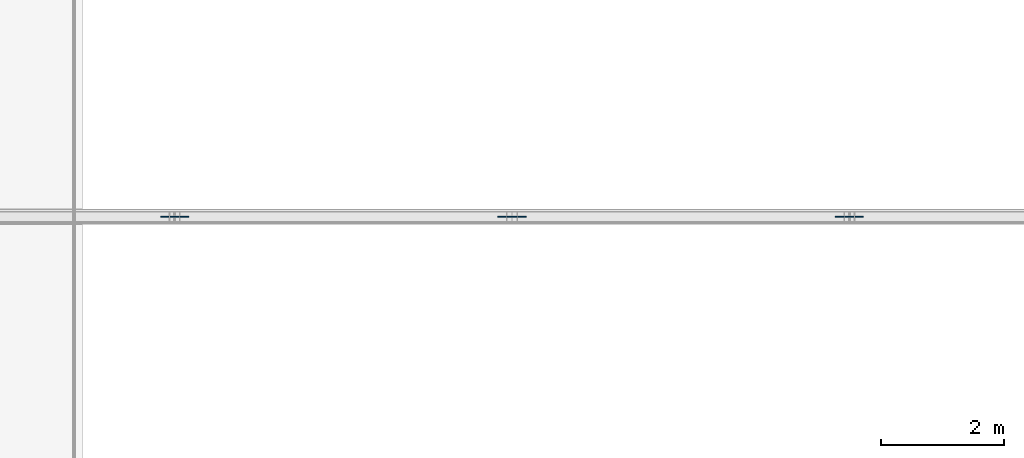
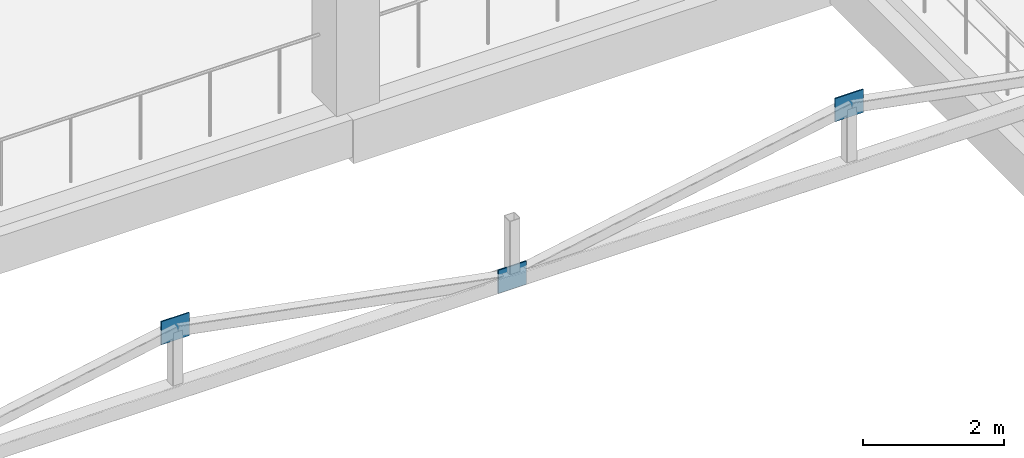
# One storey, part 43 of 74: 3 plates.
"""IFC4 building model written with IfcOpenShell, lengths in metres."""

import ifcopenshell
import ifcopenshell.guid

model = None  # the IFC model being written
_history = None  # IfcOwnerHistory: only IFC2X3 demands one
_inside = {}  # id of a spatial element -> (the spatial element, [elements in it])
_under = {}  # id of a project, library or spatial element -> (it, [spatial elements below it])
_declared = {}  # id of a project -> (the project, [libraries it declares])
_typed = {}  # id of a type object -> (the type object, [elements of that type])
_made_of = {}  # id of a material, layer set ... -> (it, [elements and type objects made of it])


def new_model(schema):
    """Start an empty IFC model of exactly this schema.

    Asked for "IFC4X3", IfcOpenShell would pick the latest addendum, in which some entities
    have other attributes; the version numbers below select the first issue.
    IFC2X3 requires an IfcOwnerHistory on every rooted entity: one is made here for all.
    """
    global model, _history
    if schema == "IFC4X3":
        model = ifcopenshell.file(schema_version=(4, 3, 0, 0))
    else:
        model = ifcopenshell.file(schema=schema)
    _inside.clear()
    _under.clear()
    _declared.clear()
    _typed.clear()
    _made_of.clear()
    _history = None
    if model.schema == "IFC2X3":
        org = make("IfcOrganization", Name="unknown")
        user = make(
            "IfcPersonAndOrganization",
            ThePerson=make("IfcPerson", FamilyName="unknown"),
            TheOrganization=org,
        )
        app = make(
            "IfcApplication",
            ApplicationDeveloper=org,
            Version="unknown",
            ApplicationFullName="unknown",
            ApplicationIdentifier="unknown",
        )
        _history = make(
            "IfcOwnerHistory",
            OwningUser=user,
            OwningApplication=app,
            ChangeAction="ADDED",
            CreationDate=0,
        )
    return model


def make(cls, **values):
    """One entity of the class cls with the attributes given. An attribute that is None is left unset."""
    return model.create_entity(
        cls, **{name: value for name, value in values.items() if value is not None}
    )


def rooted(cls, **values):
    """An entity with a GlobalId (a new one), such as an element, a storey or a relation."""
    return make(cls, GlobalId=ifcopenshell.guid.new(), OwnerHistory=_history, **values)


def si_unit(unit_type, name, prefix=None):
    """IfcSIUnit, for example si_unit("LENGTHUNIT", "METRE", prefix="MILLI")."""
    return make("IfcSIUnit", UnitType=unit_type, Prefix=prefix, Name=name)


def assignment(units):
    """IfcUnitAssignment: the units of a project."""
    return None if units is None else make("IfcUnitAssignment", Units=units)


def point(xyz):
    """IfcCartesianPoint."""
    return None if xyz is None else make("IfcCartesianPoint", Coordinates=xyz)


def direction(xyz):
    """IfcDirection."""
    return None if xyz is None else make("IfcDirection", DirectionRatios=xyz)


def frame(location, z_axis=None, x_axis=None):
    """IfcAxis2Placement3D, a coordinate frame: its origin and axes. An axis left out is left unset."""
    return make(
        "IfcAxis2Placement3D",
        Location=point(location),
        Axis=direction(z_axis),
        RefDirection=direction(x_axis),
    )


def frame_2d(location, x_axis=None):
    """IfcAxis2Placement2D, a coordinate frame in the plane: its origin and x axis."""
    return make(
        "IfcAxis2Placement2D", Location=point(location), RefDirection=direction(x_axis)
    )


def origin():
    """The frame at (0, 0, 0) with its axes left unset."""
    return frame((0.0, 0.0, 0.0))


def origin_2d():
    """The frame at (0, 0) in the plane with its x axis left unset."""
    return frame_2d((0.0, 0.0))


def place(relative_to, where):
    """IfcLocalPlacement: puts the frame where relative to a parent placement (None: the world)."""
    return make(
        "IfcLocalPlacement", PlacementRelTo=relative_to, RelativePlacement=where
    )


def context(
    kind, dimensions, precision=None, world=None, true_north=None, identifier=None
):
    """IfcGeometricRepresentationContext, for example the 3D "Model" context."""
    return make(
        "IfcGeometricRepresentationContext",
        ContextIdentifier=identifier,
        ContextType=kind,
        CoordinateSpaceDimension=dimensions,
        Precision=precision,
        WorldCoordinateSystem=world,
        TrueNorth=true_north,
    )


def subcontext(parent, identifier, kind, view, scale=None):
    """IfcGeometricRepresentationSubContext, for example "Body" below "Model"."""
    return make(
        "IfcGeometricRepresentationSubContext",
        ContextIdentifier=identifier,
        ContextType=kind,
        ParentContext=parent,
        TargetScale=scale,
        TargetView=view,
    )


def project(units=None, contexts=None):
    """IfcProject with its units and contexts."""
    return rooted(
        "IfcProject",
        Name="project",
        RepresentationContexts=contexts,
        UnitsInContext=assignment(units),
    )


def spatial(cls, under=None, at=None, **own):
    """A site, building, storey or space (cls), placed at a placement, below another one or the project."""
    s = rooted(cls, ObjectPlacement=at, **own)
    if under is not None:
        _under.setdefault(under.id(), (under, []))[1].append(s)
    return s


def profile(cls, at=None, kind="AREA", **sizes):
    """A parametric profile (cls). Its sizes go by their IFC names, for example OverallWidth=200.0."""
    return make(cls, ProfileType=kind, Position=at, **sizes)


def rectangle(**sizes):
    """IfcRectangleProfileDef."""
    return profile("IfcRectangleProfileDef", **sizes)


def extrude(swept, where, along, depth):
    """IfcExtrudedAreaSolid: the profile swept, set in the frame where, extruded along a direction by depth."""
    return make(
        "IfcExtrudedAreaSolid",
        SweptArea=swept,
        Position=where,
        ExtrudedDirection=direction(along),
        Depth=depth,
    )


def shape(context_of_items, identifier, shape_type, items):
    """IfcShapeRepresentation: the items that make up one representation, for example the "Body"."""
    return make(
        "IfcShapeRepresentation",
        ContextOfItems=context_of_items,
        RepresentationIdentifier=identifier,
        RepresentationType=shape_type,
        Items=items,
    )


def material(Name=None, Category=None):
    """IfcMaterial."""
    return make("IfcMaterial", Name=Name, Category=Category)


def layer(
    of_material, thickness, ventilated=None, Name=None, Category=None, Priority=None
):
    """IfcMaterialLayer: one layer of a wall or slab, of a material (None: an air gap)."""
    return make(
        "IfcMaterialLayer",
        Material=of_material,
        LayerThickness=thickness,
        IsVentilated=ventilated,
        Name=Name,
        Category=Category,
        Priority=Priority,
    )


def layer_set(layers, Name=None):
    """IfcMaterialLayerSet."""
    return make("IfcMaterialLayerSet", MaterialLayers=layers, LayerSetName=Name)


def made_of(thing, what):
    """Note that an element or type object is made of a material, layer set ...; save() writes the relation."""
    if what is not None:
        _made_of.setdefault(what.id(), (what, []))[1].append(thing)
    return thing


def type_object(cls, material=None, **own):
    """A type object (cls), such as IfcWallType, which elements share."""
    return made_of(rooted(cls, **own), material)


def element(
    cls,
    number,
    at=None,
    inside=None,
    cuts=None,
    type_object=None,
    material=None,
    context=None,
    identifier="Body",
    shape_type=None,
    held_by="IfcProductDefinitionShape",
    body=None,
    shapes=None,
    **own,
):
    """One element of the class cls, such as IfcWall. Its Tag is "e" and its number.

    at: its placement. inside: the storey or other place that contains it. cuts: it is an
    opening in that element (IfcRelVoidsElement). A single representation is given by context,
    identifier, shape_type and body (its items); several are given by shapes. held_by: the class
    of the entity that holds the representations. save() writes the other relations.
    """
    e = rooted(cls, Tag="e%d" % number, ObjectPlacement=at, **own)
    if body is not None:
        shapes = [shape(context, identifier, shape_type, body)]
    if shapes is not None:
        e.Representation = make(held_by, Representations=shapes)
    if inside is not None:
        _inside.setdefault(inside.id(), (inside, []))[1].append(e)
    if cuts is not None:
        rooted(
            "IfcRelVoidsElement", RelatingBuildingElement=cuts, RelatedOpeningElement=e
        )
    if type_object is not None:
        _typed.setdefault(type_object.id(), (type_object, []))[1].append(e)
    return made_of(e, material)


def aggregate(whole, parts):
    """IfcRelAggregates: a whole, such as a stair, and the parts it consists of."""
    return rooted("IfcRelAggregates", RelatingObject=whole, RelatedObjects=parts)


def save(model, path):
    """Write the relations noted so far, then the file.

    IfcRelAggregates (storeys below a building ...), IfcRelContainedInSpatialStructure (elements
    in a storey), IfcRelDefinesByType, IfcRelAssociatesMaterial and IfcRelDeclares: one each for
    every whole, place, type object, material and project.
    """
    for whole, parts in _under.values():
        aggregate(whole, parts)
    for where, things in _inside.values():
        rooted(
            "IfcRelContainedInSpatialStructure",
            RelatedElements=things,
            RelatingStructure=where,
        )
    for kind, things in _typed.values():
        rooted("IfcRelDefinesByType", RelatedObjects=things, RelatingType=kind)
    for what, things in _made_of.values():
        rooted("IfcRelAssociatesMaterial", RelatedObjects=things, RelatingMaterial=what)
    for by, libraries in _declared.values():
        rooted("IfcRelDeclares", RelatingContext=by, RelatedDefinitions=libraries)
    model.write(path)


model = new_model("IFC4")

# Units and contexts
model_context = context("Model", 3, precision=1e-05, world=origin(), true_north=direction((0.0, 1.0)))
body_context = subcontext(model_context, "Body", "Model", "MODEL_VIEW")
ifc_project = project(units=[si_unit("LENGTHUNIT", "METRE"), si_unit("AREAUNIT", "SQUARE_METRE"), si_unit("VOLUMEUNIT", "CUBIC_METRE"), si_unit("PLANEANGLEUNIT", "RADIAN"), si_unit("MASSUNIT", "GRAM", prefix="KILO")], contexts=[model_context])

# Site, building, storey
site_placement = place(None, origin())
site = spatial("IfcSite", under=ifc_project, at=site_placement, CompositionType="ELEMENT")
building_placement = place(site_placement, origin())
building = spatial("IfcBuilding", under=site, at=building_placement, Name="Sillaruma Civic Art Gallery", CompositionType="ELEMENT")
storey_placement = place(building_placement, frame((0.0, 0.0, 5.43994140625)))
storey = spatial("IfcBuildingStorey", under=building, at=storey_placement, Name="L01", CompositionType="ELEMENT", Elevation=5.43994140625)

# Plates
ifc_material = material(Name="Structural Steel ASTM A992 Gr.50", Category="steel")
ifc_layer = layer(ifc_material, 0.02001953125, Name="Structural Steel ASTM A992 Gr.50")
ifc_layer_set = layer_set([ifc_layer], Name="Structural Steel ASTM A992 Gr.50")
plate_type = type_object("IfcPlateType", Name="PLT-GUS-20", PredefinedType="SHEET", material=ifc_layer_set)
for number, where, z_axis, x_axis, name in (
    (1, (75.5, 59.39990234375, 4.794189453125), (0.0, 0.0, 1.0), (1.0, 0.0, 0.0), "Truss Gusset Plate GP-01 (TR-L01-1-1)"),
    (2, (81.0, 59.39990234375, 3.755126953125), (0.0, 0.0, 1.0), (1.0, 0.0, 0.0), "Truss Gusset Plate GP-01 (TR-L01-1-2)"),
    (3, (86.5, 59.39990234375, 4.794189453125), (0.0, 0.0, 1.0), (1.0, 0.0, 0.0), "Truss Gusset Plate GP-01 (TR-L01-1-3)"),
):
    element("IfcPlate", number, at=place(storey_placement, frame(where, z_axis=z_axis, x_axis=x_axis)), inside=storey, type_object=plate_type, Name=name, PredefinedType="SHEET", context=body_context, shape_type="SweptSolid", body=[
        extrude(rectangle(XDim=0.4599609375, YDim=0.02001953125, at=origin_2d()), origin(), (0.0, 0.0, 1.0), 0.39990234375),
    ])

save(model, "model.ifc")
